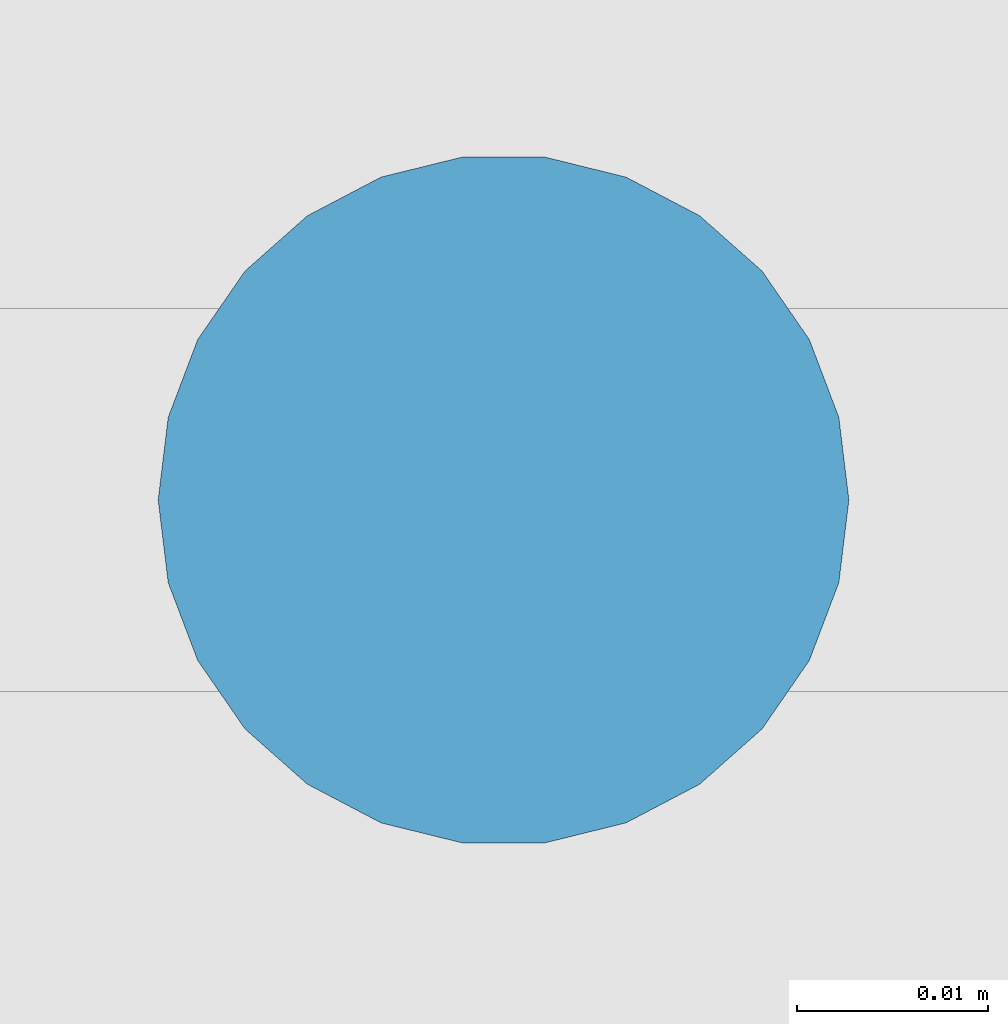
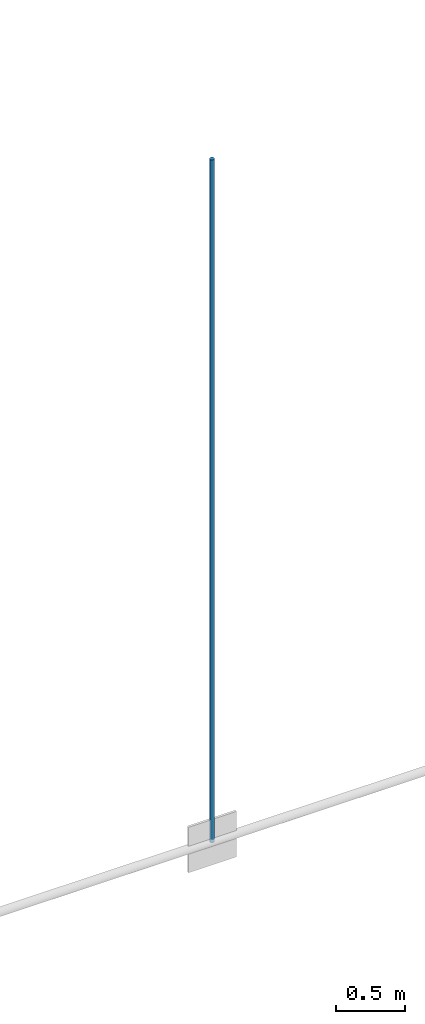
# One storey, part 38 of 321: 1 member.
"""IFC4 building model written with IfcOpenShell, lengths in metres."""

import ifcopenshell
import ifcopenshell.guid

model = None  # the IFC model being written
_history = None  # IfcOwnerHistory: only IFC2X3 demands one
_inside = {}  # id of a spatial element -> (the spatial element, [elements in it])
_under = {}  # id of a project, library or spatial element -> (it, [spatial elements below it])
_declared = {}  # id of a project -> (the project, [libraries it declares])
_typed = {}  # id of a type object -> (the type object, [elements of that type])
_made_of = {}  # id of a material, layer set ... -> (it, [elements and type objects made of it])


def new_model(schema):
    """Start an empty IFC model of exactly this schema.

    Asked for "IFC4X3", IfcOpenShell would pick the latest addendum, in which some entities
    have other attributes; the version numbers below select the first issue.
    IFC2X3 requires an IfcOwnerHistory on every rooted entity: one is made here for all.
    """
    global model, _history
    if schema == "IFC4X3":
        model = ifcopenshell.file(schema_version=(4, 3, 0, 0))
    else:
        model = ifcopenshell.file(schema=schema)
    _inside.clear()
    _under.clear()
    _declared.clear()
    _typed.clear()
    _made_of.clear()
    _history = None
    if model.schema == "IFC2X3":
        org = make("IfcOrganization", Name="unknown")
        user = make(
            "IfcPersonAndOrganization",
            ThePerson=make("IfcPerson", FamilyName="unknown"),
            TheOrganization=org,
        )
        app = make(
            "IfcApplication",
            ApplicationDeveloper=org,
            Version="unknown",
            ApplicationFullName="unknown",
            ApplicationIdentifier="unknown",
        )
        _history = make(
            "IfcOwnerHistory",
            OwningUser=user,
            OwningApplication=app,
            ChangeAction="ADDED",
            CreationDate=0,
        )
    return model


def make(cls, **values):
    """One entity of the class cls with the attributes given. An attribute that is None is left unset."""
    return model.create_entity(
        cls, **{name: value for name, value in values.items() if value is not None}
    )


def rooted(cls, **values):
    """An entity with a GlobalId (a new one), such as an element, a storey or a relation."""
    return make(cls, GlobalId=ifcopenshell.guid.new(), OwnerHistory=_history, **values)


def si_unit(unit_type, name, prefix=None):
    """IfcSIUnit, for example si_unit("LENGTHUNIT", "METRE", prefix="MILLI")."""
    return make("IfcSIUnit", UnitType=unit_type, Prefix=prefix, Name=name)


def assignment(units):
    """IfcUnitAssignment: the units of a project."""
    return None if units is None else make("IfcUnitAssignment", Units=units)


def point(xyz):
    """IfcCartesianPoint."""
    return None if xyz is None else make("IfcCartesianPoint", Coordinates=xyz)


def direction(xyz):
    """IfcDirection."""
    return None if xyz is None else make("IfcDirection", DirectionRatios=xyz)


def frame(location, z_axis=None, x_axis=None):
    """IfcAxis2Placement3D, a coordinate frame: its origin and axes. An axis left out is left unset."""
    return make(
        "IfcAxis2Placement3D",
        Location=point(location),
        Axis=direction(z_axis),
        RefDirection=direction(x_axis),
    )


def frame_2d(location, x_axis=None):
    """IfcAxis2Placement2D, a coordinate frame in the plane: its origin and x axis."""
    return make(
        "IfcAxis2Placement2D", Location=point(location), RefDirection=direction(x_axis)
    )


def origin():
    """The frame at (0, 0, 0) with its axes left unset."""
    return frame((0.0, 0.0, 0.0))


def origin_2d():
    """The frame at (0, 0) in the plane with its x axis left unset."""
    return frame_2d((0.0, 0.0))


def place(relative_to, where):
    """IfcLocalPlacement: puts the frame where relative to a parent placement (None: the world)."""
    return make(
        "IfcLocalPlacement", PlacementRelTo=relative_to, RelativePlacement=where
    )


def context(
    kind, dimensions, precision=None, world=None, true_north=None, identifier=None
):
    """IfcGeometricRepresentationContext, for example the 3D "Model" context."""
    return make(
        "IfcGeometricRepresentationContext",
        ContextIdentifier=identifier,
        ContextType=kind,
        CoordinateSpaceDimension=dimensions,
        Precision=precision,
        WorldCoordinateSystem=world,
        TrueNorth=true_north,
    )


def subcontext(parent, identifier, kind, view, scale=None):
    """IfcGeometricRepresentationSubContext, for example "Body" below "Model"."""
    return make(
        "IfcGeometricRepresentationSubContext",
        ContextIdentifier=identifier,
        ContextType=kind,
        ParentContext=parent,
        TargetScale=scale,
        TargetView=view,
    )


def project(units=None, contexts=None):
    """IfcProject with its units and contexts."""
    return rooted(
        "IfcProject",
        Name="project",
        RepresentationContexts=contexts,
        UnitsInContext=assignment(units),
    )


def spatial(cls, under=None, at=None, **own):
    """A site, building, storey or space (cls), placed at a placement, below another one or the project."""
    s = rooted(cls, ObjectPlacement=at, **own)
    if under is not None:
        _under.setdefault(under.id(), (under, []))[1].append(s)
    return s


def profile(cls, at=None, kind="AREA", **sizes):
    """A parametric profile (cls). Its sizes go by their IFC names, for example OverallWidth=200.0."""
    return make(cls, ProfileType=kind, Position=at, **sizes)


def circle(**sizes):
    """IfcCircleProfileDef."""
    return profile("IfcCircleProfileDef", **sizes)


def extrude(swept, where, along, depth):
    """IfcExtrudedAreaSolid: the profile swept, set in the frame where, extruded along a direction by depth."""
    return make(
        "IfcExtrudedAreaSolid",
        SweptArea=swept,
        Position=where,
        ExtrudedDirection=direction(along),
        Depth=depth,
    )


def shape(context_of_items, identifier, shape_type, items):
    """IfcShapeRepresentation: the items that make up one representation, for example the "Body"."""
    return make(
        "IfcShapeRepresentation",
        ContextOfItems=context_of_items,
        RepresentationIdentifier=identifier,
        RepresentationType=shape_type,
        Items=items,
    )


def material(Name=None, Category=None):
    """IfcMaterial."""
    return make("IfcMaterial", Name=Name, Category=Category)


def material_profile(
    of_material, cross_section, Name=None, Category=None, Priority=None
):
    """IfcMaterialProfile: a cross section and its material."""
    return make(
        "IfcMaterialProfile",
        Name=Name,
        Material=of_material,
        Profile=cross_section,
        Priority=Priority,
        Category=Category,
    )


def profile_set(profiles, Name=None, composite=None):
    """IfcMaterialProfileSet."""
    return make(
        "IfcMaterialProfileSet",
        Name=Name,
        MaterialProfiles=profiles,
        CompositeProfile=composite,
    )


def made_of(thing, what):
    """Note that an element or type object is made of a material, layer set ...; save() writes the relation."""
    if what is not None:
        _made_of.setdefault(what.id(), (what, []))[1].append(thing)
    return thing


def type_object(cls, material=None, **own):
    """A type object (cls), such as IfcWallType, which elements share."""
    return made_of(rooted(cls, **own), material)


def element(
    cls,
    number,
    at=None,
    inside=None,
    cuts=None,
    type_object=None,
    material=None,
    context=None,
    identifier="Body",
    shape_type=None,
    held_by="IfcProductDefinitionShape",
    body=None,
    shapes=None,
    **own,
):
    """One element of the class cls, such as IfcWall. Its Tag is "e" and its number.

    at: its placement. inside: the storey or other place that contains it. cuts: it is an
    opening in that element (IfcRelVoidsElement). A single representation is given by context,
    identifier, shape_type and body (its items); several are given by shapes. held_by: the class
    of the entity that holds the representations. save() writes the other relations.
    """
    e = rooted(cls, Tag="e%d" % number, ObjectPlacement=at, **own)
    if body is not None:
        shapes = [shape(context, identifier, shape_type, body)]
    if shapes is not None:
        e.Representation = make(held_by, Representations=shapes)
    if inside is not None:
        _inside.setdefault(inside.id(), (inside, []))[1].append(e)
    if cuts is not None:
        rooted(
            "IfcRelVoidsElement", RelatingBuildingElement=cuts, RelatedOpeningElement=e
        )
    if type_object is not None:
        _typed.setdefault(type_object.id(), (type_object, []))[1].append(e)
    return made_of(e, material)


def aggregate(whole, parts):
    """IfcRelAggregates: a whole, such as a stair, and the parts it consists of."""
    return rooted("IfcRelAggregates", RelatingObject=whole, RelatedObjects=parts)


def save(model, path):
    """Write the relations noted so far, then the file.

    IfcRelAggregates (storeys below a building ...), IfcRelContainedInSpatialStructure (elements
    in a storey), IfcRelDefinesByType, IfcRelAssociatesMaterial and IfcRelDeclares: one each for
    every whole, place, type object, material and project.
    """
    for whole, parts in _under.values():
        aggregate(whole, parts)
    for where, things in _inside.values():
        rooted(
            "IfcRelContainedInSpatialStructure",
            RelatedElements=things,
            RelatingStructure=where,
        )
    for kind, things in _typed.values():
        rooted("IfcRelDefinesByType", RelatedObjects=things, RelatingType=kind)
    for what, things in _made_of.values():
        rooted("IfcRelAssociatesMaterial", RelatedObjects=things, RelatingMaterial=what)
    for by, libraries in _declared.values():
        rooted("IfcRelDeclares", RelatingContext=by, RelatedDefinitions=libraries)
    model.write(path)


model = new_model("IFC4")

# Units and contexts
model_context = context("Model", 3, precision=1e-05, world=origin(), true_north=direction((0.0, 1.0)))
body_context = subcontext(model_context, "Body", "Model", "MODEL_VIEW")
ifc_project = project(units=[si_unit("LENGTHUNIT", "METRE"), si_unit("AREAUNIT", "SQUARE_METRE"), si_unit("VOLUMEUNIT", "CUBIC_METRE"), si_unit("PLANEANGLEUNIT", "RADIAN"), si_unit("MASSUNIT", "GRAM", prefix="KILO")], contexts=[model_context])

# Site, building, storey
site_placement = place(None, origin())
site = spatial("IfcSite", under=ifc_project, at=site_placement, CompositionType="ELEMENT")
building_placement = place(site_placement, origin())
building = spatial("IfcBuilding", under=site, at=building_placement, Name="Ravi Spectrum Wholesale Market", CompositionType="ELEMENT")
storey_placement = place(building_placement, frame((0.0, 0.0, 10.800048828125)))
storey = spatial("IfcBuildingStorey", under=building, at=storey_placement, Name="L02", CompositionType="ELEMENT", Elevation=10.800048828125)

# Member
ifc_material = material(Name="Steel S355", Category="steel")
ifc_material_profile = material_profile(ifc_material, circle(Radius=0.01806640625, at=origin_2d()))
ifc_profile_set = profile_set([ifc_material_profile], Name="Steel S355")
member_type = type_object("IfcMemberType", Name="ROD 36 hanger", PredefinedType="STRUT", material=ifc_profile_set)
member_placement = place(storey_placement, frame((70.0, 66.0, 0.023193359375), z_axis=(0.0, 0.0, 1.0), x_axis=(1.0, 0.0, 0.0)))
element("IfcMember", 1, at=member_placement, inside=storey, type_object=member_type, Name="H1-MB-L02-322", PredefinedType="STRUT", context=body_context, shape_type="SweptSolid", body=[
    extrude(circle(Radius=0.01806640625, at=origin_2d()), origin(), (0.0, 0.0, 1.0), 6.002197265625),
])

save(model, "model.ifc")
